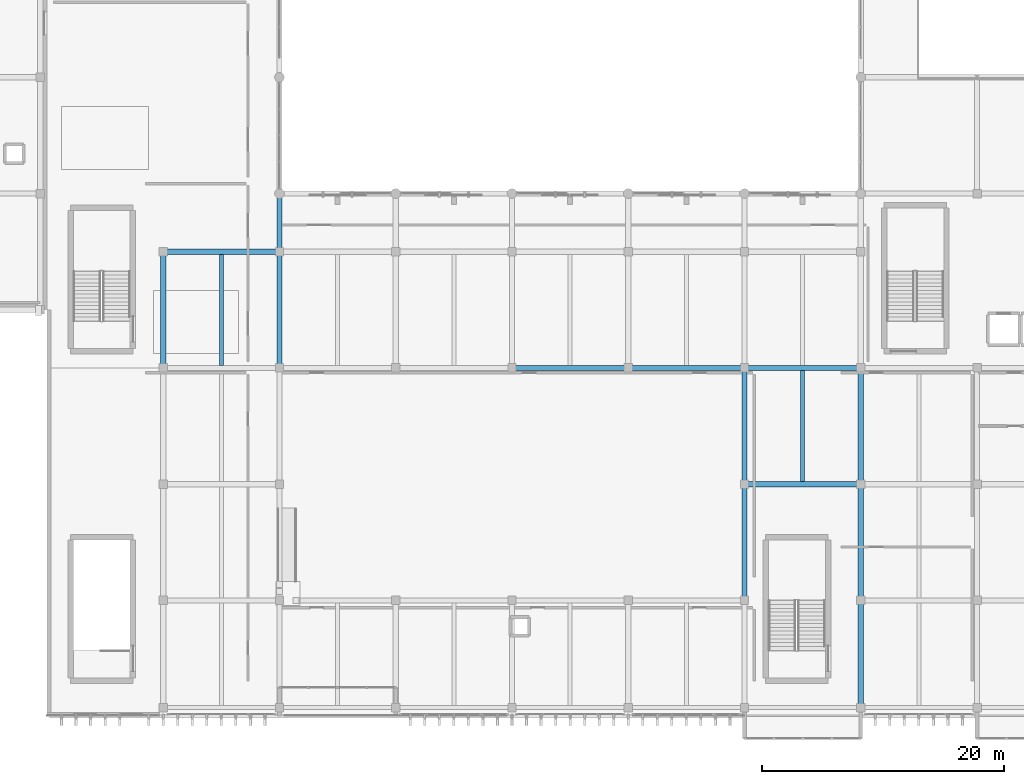
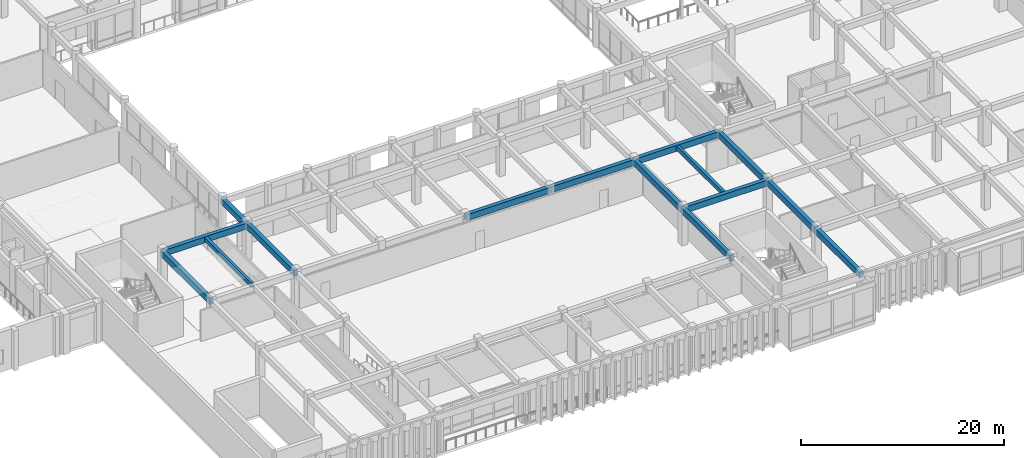
# One storey, part 19 of 133: 15 beams.
"""IFC4 building model written with IfcOpenShell, lengths in metres."""

import ifcopenshell
import ifcopenshell.guid

model = None  # the IFC model being written
_history = None  # IfcOwnerHistory: only IFC2X3 demands one
_inside = {}  # id of a spatial element -> (the spatial element, [elements in it])
_under = {}  # id of a project, library or spatial element -> (it, [spatial elements below it])
_declared = {}  # id of a project -> (the project, [libraries it declares])
_typed = {}  # id of a type object -> (the type object, [elements of that type])
_made_of = {}  # id of a material, layer set ... -> (it, [elements and type objects made of it])


def new_model(schema):
    """Start an empty IFC model of exactly this schema.

    Asked for "IFC4X3", IfcOpenShell would pick the latest addendum, in which some entities
    have other attributes; the version numbers below select the first issue.
    IFC2X3 requires an IfcOwnerHistory on every rooted entity: one is made here for all.
    """
    global model, _history
    if schema == "IFC4X3":
        model = ifcopenshell.file(schema_version=(4, 3, 0, 0))
    else:
        model = ifcopenshell.file(schema=schema)
    _inside.clear()
    _under.clear()
    _declared.clear()
    _typed.clear()
    _made_of.clear()
    _history = None
    if model.schema == "IFC2X3":
        org = make("IfcOrganization", Name="unknown")
        user = make(
            "IfcPersonAndOrganization",
            ThePerson=make("IfcPerson", FamilyName="unknown"),
            TheOrganization=org,
        )
        app = make(
            "IfcApplication",
            ApplicationDeveloper=org,
            Version="unknown",
            ApplicationFullName="unknown",
            ApplicationIdentifier="unknown",
        )
        _history = make(
            "IfcOwnerHistory",
            OwningUser=user,
            OwningApplication=app,
            ChangeAction="ADDED",
            CreationDate=0,
        )
    return model


def make(cls, **values):
    """One entity of the class cls with the attributes given. An attribute that is None is left unset."""
    return model.create_entity(
        cls, **{name: value for name, value in values.items() if value is not None}
    )


def rooted(cls, **values):
    """An entity with a GlobalId (a new one), such as an element, a storey or a relation."""
    return make(cls, GlobalId=ifcopenshell.guid.new(), OwnerHistory=_history, **values)


def si_unit(unit_type, name, prefix=None):
    """IfcSIUnit, for example si_unit("LENGTHUNIT", "METRE", prefix="MILLI")."""
    return make("IfcSIUnit", UnitType=unit_type, Prefix=prefix, Name=name)


def assignment(units):
    """IfcUnitAssignment: the units of a project."""
    return None if units is None else make("IfcUnitAssignment", Units=units)


def point(xyz):
    """IfcCartesianPoint."""
    return None if xyz is None else make("IfcCartesianPoint", Coordinates=xyz)


def direction(xyz):
    """IfcDirection."""
    return None if xyz is None else make("IfcDirection", DirectionRatios=xyz)


def frame(location, z_axis=None, x_axis=None):
    """IfcAxis2Placement3D, a coordinate frame: its origin and axes. An axis left out is left unset."""
    return make(
        "IfcAxis2Placement3D",
        Location=point(location),
        Axis=direction(z_axis),
        RefDirection=direction(x_axis),
    )


def frame_2d(location, x_axis=None):
    """IfcAxis2Placement2D, a coordinate frame in the plane: its origin and x axis."""
    return make(
        "IfcAxis2Placement2D", Location=point(location), RefDirection=direction(x_axis)
    )


def origin():
    """The frame at (0, 0, 0) with its axes left unset."""
    return frame((0.0, 0.0, 0.0))


def origin_2d():
    """The frame at (0, 0) in the plane with its x axis left unset."""
    return frame_2d((0.0, 0.0))


def place(relative_to, where):
    """IfcLocalPlacement: puts the frame where relative to a parent placement (None: the world)."""
    return make(
        "IfcLocalPlacement", PlacementRelTo=relative_to, RelativePlacement=where
    )


def context(
    kind, dimensions, precision=None, world=None, true_north=None, identifier=None
):
    """IfcGeometricRepresentationContext, for example the 3D "Model" context."""
    return make(
        "IfcGeometricRepresentationContext",
        ContextIdentifier=identifier,
        ContextType=kind,
        CoordinateSpaceDimension=dimensions,
        Precision=precision,
        WorldCoordinateSystem=world,
        TrueNorth=true_north,
    )


def subcontext(parent, identifier, kind, view, scale=None):
    """IfcGeometricRepresentationSubContext, for example "Body" below "Model"."""
    return make(
        "IfcGeometricRepresentationSubContext",
        ContextIdentifier=identifier,
        ContextType=kind,
        ParentContext=parent,
        TargetScale=scale,
        TargetView=view,
    )


def project(units=None, contexts=None):
    """IfcProject with its units and contexts."""
    return rooted(
        "IfcProject",
        Name="project",
        RepresentationContexts=contexts,
        UnitsInContext=assignment(units),
    )


def spatial(cls, under=None, at=None, **own):
    """A site, building, storey or space (cls), placed at a placement, below another one or the project."""
    s = rooted(cls, ObjectPlacement=at, **own)
    if under is not None:
        _under.setdefault(under.id(), (under, []))[1].append(s)
    return s


def profile(cls, at=None, kind="AREA", **sizes):
    """A parametric profile (cls). Its sizes go by their IFC names, for example OverallWidth=200.0."""
    return make(cls, ProfileType=kind, Position=at, **sizes)


def rectangle(**sizes):
    """IfcRectangleProfileDef."""
    return profile("IfcRectangleProfileDef", **sizes)


def extrude(swept, where, along, depth):
    """IfcExtrudedAreaSolid: the profile swept, set in the frame where, extruded along a direction by depth."""
    return make(
        "IfcExtrudedAreaSolid",
        SweptArea=swept,
        Position=where,
        ExtrudedDirection=direction(along),
        Depth=depth,
    )


def shape(context_of_items, identifier, shape_type, items):
    """IfcShapeRepresentation: the items that make up one representation, for example the "Body"."""
    return make(
        "IfcShapeRepresentation",
        ContextOfItems=context_of_items,
        RepresentationIdentifier=identifier,
        RepresentationType=shape_type,
        Items=items,
    )


def material(Name=None, Category=None):
    """IfcMaterial."""
    return make("IfcMaterial", Name=Name, Category=Category)


def material_profile(
    of_material, cross_section, Name=None, Category=None, Priority=None
):
    """IfcMaterialProfile: a cross section and its material."""
    return make(
        "IfcMaterialProfile",
        Name=Name,
        Material=of_material,
        Profile=cross_section,
        Priority=Priority,
        Category=Category,
    )


def profile_set(profiles, Name=None, composite=None):
    """IfcMaterialProfileSet."""
    return make(
        "IfcMaterialProfileSet",
        Name=Name,
        MaterialProfiles=profiles,
        CompositeProfile=composite,
    )


def made_of(thing, what):
    """Note that an element or type object is made of a material, layer set ...; save() writes the relation."""
    if what is not None:
        _made_of.setdefault(what.id(), (what, []))[1].append(thing)
    return thing


def type_object(cls, material=None, **own):
    """A type object (cls), such as IfcWallType, which elements share."""
    return made_of(rooted(cls, **own), material)


def element(
    cls,
    number,
    at=None,
    inside=None,
    cuts=None,
    type_object=None,
    material=None,
    context=None,
    identifier="Body",
    shape_type=None,
    held_by="IfcProductDefinitionShape",
    body=None,
    shapes=None,
    **own,
):
    """One element of the class cls, such as IfcWall. Its Tag is "e" and its number.

    at: its placement. inside: the storey or other place that contains it. cuts: it is an
    opening in that element (IfcRelVoidsElement). A single representation is given by context,
    identifier, shape_type and body (its items); several are given by shapes. held_by: the class
    of the entity that holds the representations. save() writes the other relations.
    """
    e = rooted(cls, Tag="e%d" % number, ObjectPlacement=at, **own)
    if body is not None:
        shapes = [shape(context, identifier, shape_type, body)]
    if shapes is not None:
        e.Representation = make(held_by, Representations=shapes)
    if inside is not None:
        _inside.setdefault(inside.id(), (inside, []))[1].append(e)
    if cuts is not None:
        rooted(
            "IfcRelVoidsElement", RelatingBuildingElement=cuts, RelatedOpeningElement=e
        )
    if type_object is not None:
        _typed.setdefault(type_object.id(), (type_object, []))[1].append(e)
    return made_of(e, material)


def aggregate(whole, parts):
    """IfcRelAggregates: a whole, such as a stair, and the parts it consists of."""
    return rooted("IfcRelAggregates", RelatingObject=whole, RelatedObjects=parts)


def save(model, path):
    """Write the relations noted so far, then the file.

    IfcRelAggregates (storeys below a building ...), IfcRelContainedInSpatialStructure (elements
    in a storey), IfcRelDefinesByType, IfcRelAssociatesMaterial and IfcRelDeclares: one each for
    every whole, place, type object, material and project.
    """
    for whole, parts in _under.values():
        aggregate(whole, parts)
    for where, things in _inside.values():
        rooted(
            "IfcRelContainedInSpatialStructure",
            RelatedElements=things,
            RelatingStructure=where,
        )
    for kind, things in _typed.values():
        rooted("IfcRelDefinesByType", RelatedObjects=things, RelatingType=kind)
    for what, things in _made_of.values():
        rooted("IfcRelAssociatesMaterial", RelatedObjects=things, RelatingMaterial=what)
    for by, libraries in _declared.values():
        rooted("IfcRelDeclares", RelatingContext=by, RelatedDefinitions=libraries)
    model.write(path)


model = new_model("IFC4")

# Units and contexts
model_context = context("Model", 3, precision=1e-05, world=origin(), true_north=direction((0.0, 1.0)))
body_context = subcontext(model_context, "Body", "Model", "MODEL_VIEW")
ifc_project = project(units=[si_unit("LENGTHUNIT", "METRE"), si_unit("AREAUNIT", "SQUARE_METRE"), si_unit("VOLUMEUNIT", "CUBIC_METRE"), si_unit("PLANEANGLEUNIT", "RADIAN"), si_unit("MASSUNIT", "GRAM", prefix="KILO")], contexts=[model_context])

# Site, building, storey
site_placement = place(None, origin())
site = spatial("IfcSite", under=ifc_project, at=site_placement, CompositionType="ELEMENT")
building_placement = place(site_placement, origin())
building = spatial("IfcBuilding", under=site, at=building_placement, Name="Nakhvara Creek Congress Hotel", CompositionType="ELEMENT")
storey_placement = place(building_placement, frame((0.0, 0.0, 11.39990234375)))
storey = spatial("IfcBuildingStorey", under=building, at=storey_placement, Name="L02", CompositionType="ELEMENT", Elevation=11.39990234375)

# Beams
ifc_material = material(Name="Concrete C40/50", Category="concrete")
ifc_material_profile_1 = material_profile(ifc_material, rectangle(XDim=0.320068359375, YDim=0.52001953125, at=origin_2d()), Name="RC-BM 320x520", Category="LoadBearing")
ifc_profile_set_1 = profile_set([ifc_material_profile_1], Name="Concrete C40/50")
beam_type_1 = type_object("IfcBeamType", Name="BM-RC-320X520", PredefinedType="JOIST", material=ifc_profile_set_1)
beam_1_placement = place(storey_placement, frame((72.0, 29.02001953125, 4.16015625), z_axis=(0.0, 1.0, 0.0), x_axis=(-1.0, 0.0, 0.0)))
element("IfcBeam", 1, at=beam_1_placement, inside=storey, type_object=beam_type_1, Name="Secondary Joist BJ2-L02-1667", PredefinedType="JOIST", context=body_context, shape_type="SweptSolid", body=[
    extrude(rectangle(XDim=0.320068359375, YDim=0.52001953125, at=origin_2d()), origin(), (0.0, 0.0, 1.0), 9.159912109375),
])
beam_2_placement = place(storey_placement, frame((120.0, 19.419921875, 4.16015625), z_axis=(0.0, 1.0, 0.0), x_axis=(-1.0, 0.0, 0.0)))
element("IfcBeam", 2, at=beam_2_placement, inside=storey, type_object=beam_type_1, Name="Secondary Joist BJ2-L02-1684", PredefinedType="JOIST", context=body_context, shape_type="SweptSolid", body=[
    extrude(rectangle(XDim=0.320068359375, YDim=0.52001953125, at=origin_2d()), origin(), (0.0, 0.0, 1.0), 9.16015625),
])
ifc_material_profile_2 = material_profile(ifc_material, rectangle(XDim=0.43994140625, YDim=0.719970703125, at=origin_2d()), Name="RC-BM 440x720", Category="LoadBearing")
ifc_profile_set_2 = profile_set([ifc_material_profile_2], Name="Concrete C40/50")
beam_type_2 = type_object("IfcBeamType", Name="BM-RC-440X720", PredefinedType="BEAM", material=ifc_profile_set_2)
beam_3_placement = place(storey_placement, frame((67.199951171875, 28.800048828125, 4.06005859375), z_axis=(0.0, 1.0, 0.0), x_axis=(-1.0, 0.0, 0.0)))
element("IfcBeam", 3, at=beam_3_placement, inside=storey, type_object=beam_type_2, Name="Beam B12-L02-1444", PredefinedType="BEAM", context=body_context, shape_type="SweptSolid", body=[
    extrude(rectangle(XDim=0.43994140625, YDim=0.719970703125, at=origin_2d()), origin(), (0.0, 0.0, 1.0), 9.599853515625),
])
beam_4_placement = place(storey_placement, frame((67.199951171875, 38.39990234375, 4.06005859375), z_axis=(1.0, 0.0, 0.0), x_axis=(0.0, 1.0, 0.0)))
element("IfcBeam", 4, at=beam_4_placement, inside=storey, type_object=beam_type_2, Name="Beam B12-L02-1446", PredefinedType="BEAM", context=body_context, shape_type="SweptSolid", body=[
    extrude(rectangle(XDim=0.43994140625, YDim=0.719970703125, at=origin_2d()), origin(), (0.0, 0.0, 1.0), 9.60009765625),
])
beam_5_placement = place(storey_placement, frame((76.800048828125, 28.800048828125, 4.06005859375), z_axis=(0.0, 1.0, 0.0), x_axis=(-1.0, 0.0, 0.0)))
element("IfcBeam", 5, at=beam_5_placement, inside=storey, type_object=beam_type_2, Name="Beam B12-L02-1452", PredefinedType="BEAM", context=body_context, shape_type="SweptSolid", body=[
    extrude(rectangle(XDim=0.43994140625, YDim=0.719970703125, at=origin_2d()), origin(), (0.0, 0.0, 1.0), 9.599853515625),
])
beam_6_placement = place(storey_placement, frame((76.800048828125, 38.39990234375, 4.06005859375), z_axis=(0.0, 1.0, 0.0), x_axis=(-1.0, 0.0, 0.0)))
element("IfcBeam", 6, at=beam_6_placement, inside=storey, type_object=beam_type_2, Name="Beam B12-L02-1454", PredefinedType="BEAM", context=body_context, shape_type="SweptSolid", body=[
    extrude(rectangle(XDim=0.43994140625, YDim=0.719970703125, at=origin_2d()), origin(), (0.0, 0.0, 1.0), 4.800048828125),
])
beam_7_placement = place(storey_placement, frame((96.0, 28.800048828125, 4.06005859375), z_axis=(1.0, 0.0, 0.0), x_axis=(0.0, 1.0, 0.0)))
element("IfcBeam", 7, at=beam_7_placement, inside=storey, type_object=beam_type_2, Name="Beam B12-L02-1483", PredefinedType="BEAM", context=body_context, shape_type="SweptSolid", body=[
    extrude(rectangle(XDim=0.43994140625, YDim=0.719970703125, at=origin_2d()), origin(), (0.0, 0.0, 1.0), 9.60009765625),
])
for number, where, z_axis, x_axis, name in (
    (8, (105.60009765625, 28.800048828125, 4.06005859375), (1.0, 0.0, 0.0), (0.0, 1.0, 0.0), "Beam B12-L02-1496"),
    (9, (115.199951171875, 9.60009765625, 4.06005859375), (0.0, 1.0, 0.0), (-1.0, 0.0, 0.0), "Beam B12-L02-1507"),
):
    element("IfcBeam", number, at=place(storey_placement, frame(where, z_axis=z_axis, x_axis=x_axis)), inside=storey, type_object=beam_type_2, Name=name, PredefinedType="BEAM", context=body_context, shape_type="SweptSolid", body=[
        extrude(rectangle(XDim=0.43994140625, YDim=0.719970703125, at=origin_2d()), origin(), (0.0, 0.0, 1.0), 9.599853515625),
    ])
for number, where, z_axis, x_axis, name in (
    (10, (115.199951171875, 19.199951171875, 4.06005859375), (0.0, 1.0, 0.0), (-1.0, 0.0, 0.0), "Beam B12-L02-1508"),
    (11, (115.199951171875, 19.199951171875, 4.06005859375), (1.0, 0.0, 0.0), (0.0, 1.0, 0.0), "Beam B12-L02-1509"),
    (12, (115.199951171875, 28.800048828125, 4.06005859375), (1.0, 0.0, 0.0), (0.0, 1.0, 0.0), "Beam B12-L02-1511"),
):
    element("IfcBeam", number, at=place(storey_placement, frame(where, z_axis=z_axis, x_axis=x_axis)), inside=storey, type_object=beam_type_2, Name=name, PredefinedType="BEAM", context=body_context, shape_type="SweptSolid", body=[
        extrude(rectangle(XDim=0.43994140625, YDim=0.719970703125, at=origin_2d()), origin(), (0.0, 0.0, 1.0), 9.60009765625),
    ])
beam_8_placement = place(storey_placement, frame((124.800048828125, 0.75, 4.06005859375), z_axis=(0.0, 1.0, 0.0), x_axis=(-1.0, 0.0, 0.0)))
element("IfcBeam", 13, at=beam_8_placement, inside=storey, type_object=beam_type_2, Name="Beam B12-L02-1519", PredefinedType="BEAM", context=body_context, shape_type="SweptSolid", body=[
    extrude(rectangle(XDim=0.43994140625, YDim=0.719970703125, at=origin_2d()), origin(), (0.0, 0.0, 1.0), 8.85009765625),
])
beam_9_placement = place(storey_placement, frame((124.800048828125, 9.60009765625, 4.06005859375), z_axis=(0.0, 1.0, 0.0), x_axis=(-1.0, 0.0, 0.0)))
element("IfcBeam", 14, at=beam_9_placement, inside=storey, type_object=beam_type_2, Name="Beam B12-L02-1521", PredefinedType="BEAM", context=body_context, shape_type="SweptSolid", body=[
    extrude(rectangle(XDim=0.43994140625, YDim=0.719970703125, at=origin_2d()), origin(), (0.0, 0.0, 1.0), 9.599853515625),
])
beam_10_placement = place(storey_placement, frame((124.800048828125, 19.199951171875, 4.06005859375), z_axis=(0.0, 1.0, 0.0), x_axis=(-1.0, 0.0, 0.0)))
element("IfcBeam", 15, at=beam_10_placement, inside=storey, type_object=beam_type_2, Name="Beam B12-L02-1523", PredefinedType="BEAM", context=body_context, shape_type="SweptSolid", body=[
    extrude(rectangle(XDim=0.43994140625, YDim=0.719970703125, at=origin_2d()), origin(), (0.0, 0.0, 1.0), 9.60009765625),
])

save(model, "model.ifc")
